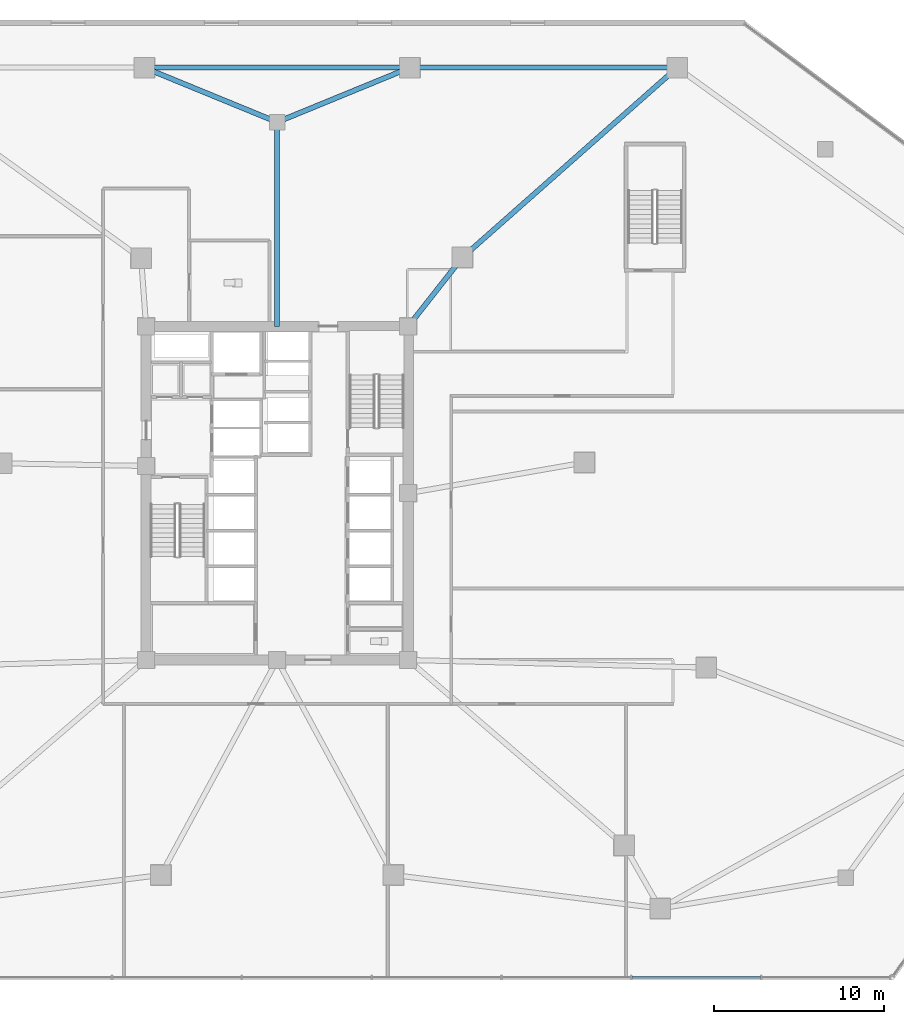
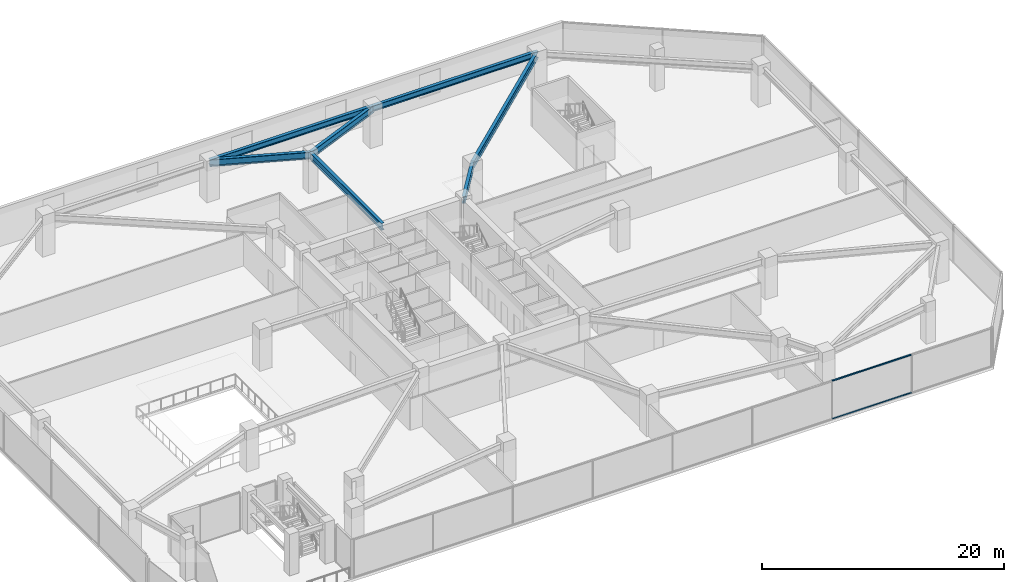
# One storey, part 7 of 22: 7 beams, 2 members, 1 element without a shape of its own.
"""IFC4 building model written with IfcOpenShell, lengths in metres."""

from ifc_helpers import new_model, si_unit, direction, frame, origin, origin_2d, place, context, subcontext, project, spatial, rectangle, i_section, extrude, material, material_profile, profile_set, type_object, element, aggregate, save


model = new_model("IFC4")

# Units and contexts
model_context = context("Model", 3, precision=1e-05, world=origin(), true_north=direction((0.0, 1.0)))
body_context = subcontext(model_context, "Body", "Model", "MODEL_VIEW")
ifc_project = project(units=[si_unit("LENGTHUNIT", "METRE"), si_unit("AREAUNIT", "SQUARE_METRE"), si_unit("VOLUMEUNIT", "CUBIC_METRE"), si_unit("PLANEANGLEUNIT", "RADIAN"), si_unit("MASSUNIT", "GRAM", prefix="KILO")], contexts=[model_context])

# Site, building, storey
site_placement = place(None, origin())
site = spatial("IfcSite", under=ifc_project, at=site_placement, CompositionType="ELEMENT")
building_placement = place(site_placement, origin())
building = spatial("IfcBuilding", under=site, at=building_placement, Name="Savorim Split Tower", CompositionType="ELEMENT")
storey_placement = place(building_placement, frame((0.0, 0.0, 17.60009765625)))
storey = spatial("IfcBuildingStorey", under=building, at=storey_placement, Name="L04", CompositionType="ELEMENT", Elevation=17.60009765625)

# Beams
ifc_material_1 = material(Name="Steel S355", Category="steel")
ifc_material_profile_1 = material_profile(ifc_material_1, i_section(OverallWidth=0.300048828125, OverallDepth=0.699951171875, WebThickness=0.01708984375, FlangeThickness=0.031982421875, FilletRadius=0.027099609375, at=origin_2d()), Name="HEB 700")
ifc_profile_set_1 = profile_set([ifc_material_profile_1], Name="Steel S355")
beam_type_1 = type_object("IfcBeamType", Name="BM-PRI-HEB700", PredefinedType="BEAM", material=ifc_profile_set_1)
beam_1_placement = place(storey_placement, frame((23.5, 25.39990234375, 3.52978515625), z_axis=(-0.749278545997, -0.66225498149, 0.0), x_axis=(0.66225498149, -0.749278545997, 0.0)))
element("IfcBeam", 1, at=beam_1_placement, inside=storey, type_object=beam_type_1, Name="L04 Podium Primary Girder BG-11", PredefinedType="BEAM", context=body_context, shape_type="SweptSolid", body=[
    extrude(i_section(OverallWidth=0.300048828125, OverallDepth=0.699951171875, WebThickness=0.01708984375, FlangeThickness=0.031982421875, FilletRadius=0.027099609375, at=origin_2d()), origin(), (0.0, 0.0, 1.0), 16.83544921875),
])
for number, where, z_axis, x_axis, name in (
    (2, (7.800048828125, 25.39990234375, 3.52978515625), (-0.925171486421, -0.379549365317, 0.0), (0.379549365317, -0.925171486421, 0.0), "L04 Podium Primary Girder BG-12"),
    (3, (-7.800048828125, 25.39990234375, 3.52978515625), (0.925171486421, -0.379549365317, 0.0), (0.379549365317, 0.925171486421, 0.0), "L04 Podium Primary Girder BG-13"),
):
    element("IfcBeam", number, at=place(storey_placement, frame(where, z_axis=z_axis, x_axis=x_axis)), inside=storey, type_object=beam_type_1, Name=name, PredefinedType="BEAM", context=body_context, shape_type="SweptSolid", body=[
        extrude(i_section(OverallWidth=0.300048828125, OverallDepth=0.699951171875, WebThickness=0.01708984375, FlangeThickness=0.031982421875, FilletRadius=0.027099609375, at=origin_2d()), origin(), (0.0, 0.0, 1.0), 8.430908203125),
    ])
beam_2_placement = place(storey_placement, frame((0.0, 22.199951171875, 3.52978515625), z_axis=(0.0, -1.0, 0.0), x_axis=(1.0, 0.0, 0.0)))
element("IfcBeam", 4, at=beam_2_placement, inside=storey, type_object=beam_type_1, Name="L04 Podium Primary Girder BG-14", PredefinedType="BEAM", context=body_context, shape_type="SweptSolid", body=[
    extrude(i_section(OverallWidth=0.300048828125, OverallDepth=0.699951171875, WebThickness=0.01708984375, FlangeThickness=0.031982421875, FilletRadius=0.027099609375, at=origin_2d()), origin(), (0.0, 0.0, 1.0), 12.0),
])
beam_3_placement = place(storey_placement, frame((10.885498046875, 14.25048828125, 3.52978515625), z_axis=(-0.618179283891, -0.786037132054, 0.0), x_axis=(0.786037132054, -0.618179283891, 0.0)))
element("IfcBeam", 5, at=beam_3_placement, inside=storey, type_object=beam_type_1, Name="L04 Podium Primary Girder BG-28", PredefinedType="BEAM", context=body_context, shape_type="SweptSolid", body=[
    extrude(i_section(OverallWidth=0.300048828125, OverallDepth=0.699951171875, WebThickness=0.01708984375, FlangeThickness=0.031982421875, FilletRadius=0.027099609375, at=origin_2d()), origin(), (0.0, 0.0, 1.0), 5.153076171875),
])
ifc_material_profile_2 = material_profile(ifc_material_1, i_section(OverallWidth=0.300048828125, OverallDepth=0.590087890625, WebThickness=0.012939453125, FlangeThickness=0.02490234375, FilletRadius=0.027099609375, at=origin_2d()), Name="HEA 600")
ifc_profile_set_2 = profile_set([ifc_material_profile_2], Name="Steel S355")
beam_type_2 = type_object("IfcBeamType", Name="BM-SPN-HEA600", PredefinedType="SPANDREL", material=ifc_profile_set_2)
beam_4_placement = place(storey_placement, frame((23.5, 25.39990234375, 3.5849609375), z_axis=(-1.0, 0.0, 0.0), x_axis=(0.0, -1.0, 0.0)))
element("IfcBeam", 6, at=beam_4_placement, inside=storey, type_object=beam_type_2, Name="L04 Podium Spandrel Beam 6", PredefinedType="SPANDREL", context=body_context, shape_type="SweptSolid", body=[
    extrude(i_section(OverallWidth=0.300048828125, OverallDepth=0.590087890625, WebThickness=0.012939453125, FlangeThickness=0.02490234375, FilletRadius=0.027099609375, at=origin_2d()), origin(), (0.0, 0.0, 1.0), 15.699951171875),
])
beam_5_placement = place(storey_placement, frame((7.800048828125, 25.39990234375, 3.5849609375), z_axis=(-1.0, 0.0, 0.0), x_axis=(0.0, -1.0, 0.0)))
element("IfcBeam", 7, at=beam_5_placement, inside=storey, type_object=beam_type_2, Name="L04 Podium Spandrel Beam 7", PredefinedType="SPANDREL", context=body_context, shape_type="SweptSolid", body=[
    extrude(i_section(OverallWidth=0.300048828125, OverallDepth=0.590087890625, WebThickness=0.012939453125, FlangeThickness=0.02490234375, FilletRadius=0.027099609375, at=origin_2d()), origin(), (0.0, 0.0, 1.0), 15.60009765625),
])

# Curtain wall, members
ifc_material_2 = material(Name="Dark Ceramic-Fritted Insulated Glass", Category="glass")
curtain_wall_type = type_object("IfcCurtainWallType", Name="CW-POD-GLZ", PredefinedType="NOTDEFINED", material=ifc_material_2)
curtain_wall_placement = place(storey_placement, origin())
curtain_wall = element("IfcCurtainWall", 8, at=curtain_wall_placement, inside=storey, type_object=curtain_wall_type, Name="L04 Curtain Wall CW-L04-E04", PredefinedType="NOTDEFINED")
ifc_material_3 = material(Name="Charcoal Anodised Aluminium", Category="aluminium")
ifc_material_profile_3 = material_profile(ifc_material_3, rectangle(XDim=0.159912109375, YDim=0.06005859375, at=origin_2d()), Name="ALU-T 160x60")
ifc_profile_set_3 = profile_set([ifc_material_profile_3], Name="Charcoal Anodised Aluminium")
member_type = type_object("IfcMemberType", Name="CWT-160x60", PredefinedType="USERDEFINED", material=ifc_profile_set_3)
member_1_placement = place(storey_placement, frame((20.84130859375, -28.0400390625, 0.02978515625), z_axis=(1.0, 0.0, 0.0), x_axis=(0.0, 1.0, 0.0)))
member_1 = element("IfcMember", 9, at=member_1_placement, type_object=member_type, Name="CW-01 transom 7.1", ObjectType="TRANSOM", PredefinedType="USERDEFINED", context=body_context, shape_type="SweptSolid", body=[
    extrude(rectangle(XDim=0.159912109375, YDim=0.06005859375, at=origin_2d()), origin(), (0.0, 0.0, 1.0), 7.556884765625),
])
member_2_placement = place(storey_placement, frame((20.84130859375, -28.0400390625, 3.849853515625), z_axis=(1.0, 0.0, 0.0), x_axis=(0.0, 1.0, 0.0)))
member_2 = element("IfcMember", 10, at=member_2_placement, type_object=member_type, Name="CW-01 transom 7.2", ObjectType="TRANSOM", PredefinedType="USERDEFINED", context=body_context, shape_type="SweptSolid", body=[
    extrude(rectangle(XDim=0.159912109375, YDim=0.06005859375, at=origin_2d()), origin(), (0.0, 0.0, 1.0), 7.556884765625),
])
aggregate(curtain_wall, [member_1, member_2])

save(model, "model.ifc")
